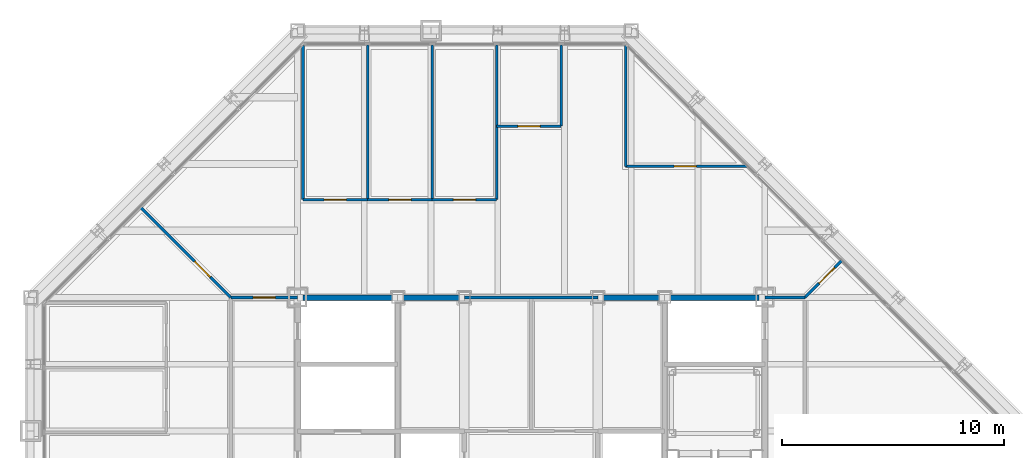
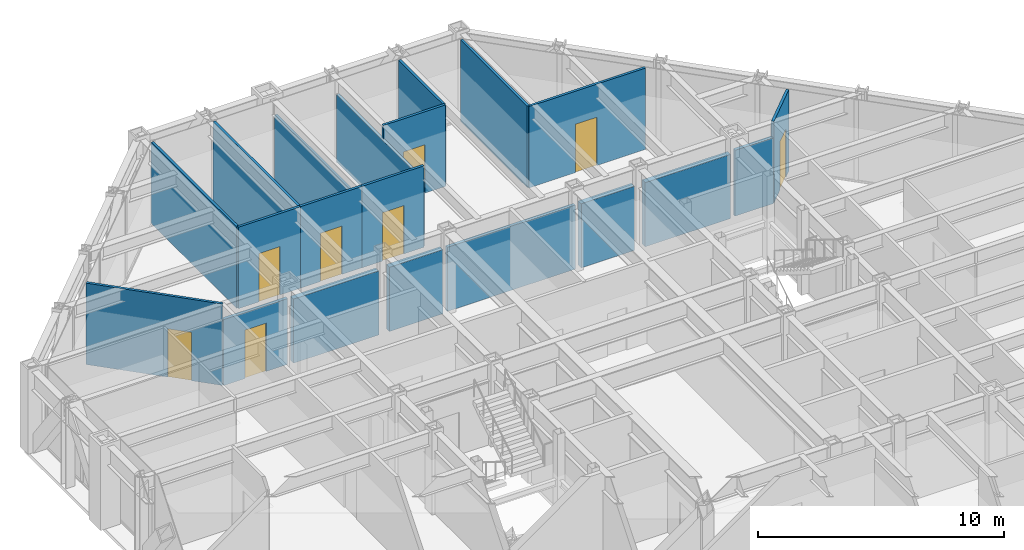
# One storey, part 13 of 16: 20 walls, 8 doors, 8 openings.
"""IFC4 building model written with IfcOpenShell, lengths in metres."""

from ifc_helpers import new_model, si_unit, direction, frame, frame_2d, origin, place, context, subcontext, project, spatial, rectangle, extrude, material, layer, layer_set, type_object, element, fill, save


model = new_model("IFC4")

# Units and contexts
model_context = context("Model", 3, precision=1e-05, world=origin(), true_north=direction((0.0, 1.0)))
body_context = subcontext(model_context, "Body", "Model", "MODEL_VIEW")
ifc_project = project(units=[si_unit("LENGTHUNIT", "METRE"), si_unit("AREAUNIT", "SQUARE_METRE"), si_unit("VOLUMEUNIT", "CUBIC_METRE"), si_unit("PLANEANGLEUNIT", "RADIAN"), si_unit("MASSUNIT", "GRAM", prefix="KILO")], contexts=[model_context])

# Site, building, storey
site_placement = place(None, origin())
site = spatial("IfcSite", under=ifc_project, at=site_placement, CompositionType="ELEMENT")
building_placement = place(site_placement, origin())
building = spatial("IfcBuilding", under=site, at=building_placement, Name="Chuquiago Exchange Tower", CompositionType="ELEMENT")
storey_placement = place(building_placement, frame((0.0, 0.0, 239.10009765625)))
storey = spatial("IfcBuildingStorey", under=building, at=storey_placement, Name="L53", CompositionType="ELEMENT", Elevation=239.10009765625)

# Walls
ifc_material_1 = material(Name="Concrete masonry, fully grouted", Category="masonry")
ifc_layer_1 = layer(ifc_material_1, 0.25)
ifc_layer_set_1 = layer_set([ifc_layer_1], Name="W1 core wall 250")
wall_type_1 = type_object("IfcWallType", Name="W1 core wall 250", PredefinedType="SOLIDWALL", material=ifc_layer_set_1)
wall_1_placement = place(storey_placement, frame((12.25, 33.0, 0.0), z_axis=(0.0, 0.0, 1.0), x_axis=(1.0, 0.0, 0.0)))
element("IfcWall", 1, at=wall_1_placement, inside=storey, type_object=wall_type_1, Name="CW-L53-11-0", PredefinedType="SOLIDWALL", context=body_context, shape_type="SweptSolid", body=[
    extrude(rectangle(XDim=4.0, YDim=0.25, at=frame_2d((2.0, 0.0))), origin(), (0.0, 0.0, 1.0), 3.181396484375),
])
for number, where, z_axis, x_axis, name in (
    (2, (16.75, 33.0, 0.0), (0.0, 0.0, 1.0), (1.0, 0.0, 0.0), "CW-L53-11-1"),
    (3, (25.75, 33.0, 0.0), (0.0, 0.0, 1.0), (1.0, 0.0, 0.0), "CW-L53-12-0"),
):
    element("IfcWall", number, at=place(storey_placement, frame(where, z_axis=z_axis, x_axis=x_axis)), inside=storey, type_object=wall_type_1, Name=name, PredefinedType="SOLIDWALL", context=body_context, shape_type="SweptSolid", body=[
        extrude(rectangle(XDim=2.5, YDim=0.25, at=frame_2d((1.25, 0.0))), origin(), (0.0, 0.0, 1.0), 3.181396484375),
    ])
wall_2_placement = place(storey_placement, frame((28.75, 33.0, 0.0), z_axis=(0.0, 0.0, 1.0), x_axis=(1.0, 0.0, 0.0)))
element("IfcWall", 4, at=wall_2_placement, inside=storey, type_object=wall_type_1, Name="CW-L53-12-1", PredefinedType="SOLIDWALL", context=body_context, shape_type="SweptSolid", body=[
    extrude(rectangle(XDim=4.0, YDim=0.25, at=frame_2d((2.0, 0.0))), origin(), (0.0, 0.0, 1.0), 3.181396484375),
])

# Wall, opening, door
ifc_material_2 = material(Name="Gypsum board on steel studs, acoustic insulation", Category="steel")
ifc_layer_2 = layer(ifc_material_2, 0.14990234375)
ifc_layer_set_2 = layer_set([ifc_layer_2], Name="W11 corridor wall 150")
wall_type_2 = type_object("IfcWallType", Name="W11 corridor wall 150", PredefinedType="PARTITIONING", material=ifc_layer_set_2)
wall_3_placement = place(storey_placement, frame((9.0, 33.0, 0.0), z_axis=(0.0, 0.0, 1.0), x_axis=(1.0, 0.0, 0.0)))
wall_3 = element("IfcWall", 5, at=wall_3_placement, inside=storey, type_object=wall_type_2, Name="PW-L53-GWN0", PredefinedType="PARTITIONING", context=body_context, shape_type="SweptSolid", body=[
    extrude(rectangle(XDim=3.0, YDim=0.14990234375, at=frame_2d((1.5, 0.0))), origin(), (0.0, 0.0, 1.0), 3.270263671875),
])
opening_1_placement = place(wall_3_placement, frame((1.0, 0.0, 0.0)))
opening_1 = element("IfcOpeningElement", 6, at=opening_1_placement, cuts=wall_3, Name="Opening L53-034", PredefinedType="OPENING", context=body_context, shape_type="SweptSolid", body=[
    extrude(rectangle(XDim=1.0, YDim=2.39990234375, at=frame_2d((0.5, 1.199951171875))), frame((0.0, 0.0849609375, 0.0), z_axis=(0.0, -1.0, 0.0), x_axis=(1.0, 0.0, 0.0)), (0.0, 0.0, 1.0), 0.169921875),
])
ifc_material_3 = material(Name="Timber door, laminate faced", Category="wood")
door_type_1 = type_object("IfcDoorType", Name="D9 room door 1000x2400", OperationType="SINGLE_SWING_LEFT", PredefinedType="DOOR", material=ifc_material_3)
door_1_placement = place(opening_1_placement, origin())
door_1 = element("IfcDoor", 7, at=door_1_placement, inside=storey, type_object=door_type_1, Name="Team area door", OperationType="SINGLE_SWING_RIGHT", OverallHeight=2.39990234375, OverallWidth=1.0, PredefinedType="DOOR", context=body_context, shape_type="SweptSolid", body=[
    extrude(rectangle(XDim=1.0, YDim=2.39990234375, at=frame_2d((0.5, 1.199951171875))), frame((0.0, 0.02490234375, 0.0), z_axis=(0.0, -1.0, 0.0), x_axis=(1.0, 0.0, 0.0)), (0.0, 0.0, 1.0), 0.050048828125),
])
fill(opening_1, door_1)

# Walls
wall_4_placement = place(storey_placement, frame((33.0, 33.0, 0.0), z_axis=(0.0, 0.0, 1.0), x_axis=(1.0, 0.0, 0.0)))
element("IfcWall", 8, at=wall_4_placement, inside=storey, type_object=wall_type_2, Name="PW-L53-GEN0", PredefinedType="PARTITIONING", context=body_context, shape_type="SweptSolid", body=[
    extrude(rectangle(XDim=1.800048828125, YDim=0.14990234375, at=frame_2d((0.89990234375, 0.0))), origin(), (0.0, 0.0, 1.0), 3.270263671875),
])
ifc_material_4 = material(Name="Gypsum board on steel studs", Category="steel")
ifc_layer_3 = layer(ifc_material_4, 0.14990234375)
ifc_layer_set_3 = layer_set([ifc_layer_3], Name="W3 core partition 150")
wall_type_3 = type_object("IfcWallType", Name="W3 core partition 150", PredefinedType="PARTITIONING", material=ifc_layer_set_3)
wall_5_placement = place(storey_placement, frame((19.5, 33.0, 0.0), z_axis=(0.0, 0.0, 1.0), x_axis=(1.0, 0.0, 0.0)))
element("IfcWall", 9, at=wall_5_placement, inside=storey, type_object=wall_type_3, Name="CW-L53-TB", PredefinedType="PARTITIONING", context=body_context, shape_type="SweptSolid", body=[
    extrude(rectangle(XDim=6.0, YDim=0.14990234375, at=frame_2d((3.0, 0.0))), origin(), (0.0, 0.0, 1.0), 3.181396484375),
])
ifc_material_5 = material(Name="Gypsum board on steel studs", Category="steel")
ifc_layer_4 = layer(ifc_material_5, 0.1201171875)
ifc_layer_set_4 = layer_set([ifc_layer_4], Name="W4 partition 120")
wall_type_4 = type_object("IfcWallType", Name="W4 partition 120", PredefinedType="PARTITIONING", material=ifc_layer_set_4)
wall_6_placement = place(storey_placement, frame((12.24853515625, 44.333984375, 0.0), z_axis=(0.0, 0.0, 1.0), x_axis=(0.0, -1.0, 0.0)))
element("IfcWall", 10, at=wall_6_placement, inside=storey, type_object=wall_type_4, Name="PW-L53-N01225", PredefinedType="PARTITIONING", context=body_context, shape_type="SweptSolid", body=[
    extrude(rectangle(XDim=6.93408203125, YDim=0.1201171875, at=frame_2d((3.467041015625, 0.0))), origin(), (0.0, 0.0, 1.0), 4.039794921875),
])
wall_7_placement = place(storey_placement, frame((15.149169921875, 44.347412109375, 0.0), z_axis=(0.0, 0.0, 1.0), x_axis=(0.0, -1.0, 0.0)))
element("IfcWall", 11, at=wall_7_placement, inside=storey, type_object=wall_type_4, Name="PW-L53-N01515", PredefinedType="PARTITIONING", context=body_context, shape_type="SweptSolid", body=[
    extrude(rectangle(XDim=6.947509765625, YDim=0.1201171875, at=frame_2d((3.4736328125, 0.0))), origin(), (0.0, 0.0, 1.0), 4.039794921875),
])
for number, where, z_axis, x_axis, name in (
    (12, (18.0498046875, 44.347412109375, 0.0), (0.0, 0.0, 1.0), (0.0, -1.0, 0.0), "PW-L53-N01805"),
    (13, (20.9501953125, 44.347412109375, 0.0), (0.0, 0.0, 1.0), (0.0, -1.0, 0.0), "PW-L53-N02095"),
):
    element("IfcWall", number, at=place(storey_placement, frame(where, z_axis=z_axis, x_axis=x_axis)), inside=storey, type_object=wall_type_4, Name=name, PredefinedType="PARTITIONING", context=body_context, shape_type="SweptSolid", body=[
        extrude(rectangle(XDim=6.947509765625, YDim=0.1201171875, at=frame_2d((3.4736328125, 0.0))), origin(), (0.0, 0.0, 1.0), 3.356689453125),
    ])
wall_8_placement = place(storey_placement, frame((23.850830078125, 44.347412109375, 0.0), z_axis=(0.0, 0.0, 1.0), x_axis=(0.0, -1.0, 0.0)))
element("IfcWall", 14, at=wall_8_placement, inside=storey, type_object=wall_type_4, Name="PW-L53-N02385", PredefinedType="PARTITIONING", context=body_context, shape_type="SweptSolid", body=[
    extrude(rectangle(XDim=3.6474609375, YDim=0.1201171875, at=frame_2d((1.82373046875, 0.0))), origin(), (0.0, 0.0, 1.0), 4.039794921875),
])
wall_9_placement = place(storey_placement, frame((26.75146484375, 44.333984375, 0.0), z_axis=(0.0, 0.0, 1.0), x_axis=(0.0, -1.0, 0.0)))
element("IfcWall", 15, at=wall_9_placement, inside=storey, type_object=wall_type_4, Name="PW-L53-N02675", PredefinedType="PARTITIONING", context=body_context, shape_type="SweptSolid", body=[
    extrude(rectangle(XDim=5.43408203125, YDim=0.1201171875, at=frame_2d((2.717041015625, 0.0))), origin(), (0.0, 0.0, 1.0), 4.039794921875),
])

# Wall, opening, door
wall_10_placement = place(storey_placement, frame((12.24853515625, 37.39990234375, 0.0), z_axis=(0.0, 0.0, 1.0), x_axis=(1.0, 0.0, 0.0)))
wall_10 = element("IfcWall", 16, at=wall_10_placement, inside=storey, type_object=wall_type_4, Name="PW-L53-NF01225", PredefinedType="PARTITIONING", context=body_context, shape_type="SweptSolid", body=[
    extrude(rectangle(XDim=2.900634765625, YDim=0.1201171875, at=frame_2d((1.4501953125, 0.0))), origin(), (0.0, 0.0, 1.0), 4.039794921875),
])
opening_2_placement = place(wall_10_placement, frame((0.9501953125, 0.0, 0.0)))
opening_2 = element("IfcOpeningElement", 17, at=opening_2_placement, cuts=wall_10, Name="Opening L53-024", PredefinedType="OPENING", context=body_context, shape_type="SweptSolid", body=[
    extrude(rectangle(XDim=1.0, YDim=2.39990234375, at=frame_2d((0.5, 1.199951171875))), frame((0.0, 0.070068359375, 0.0), z_axis=(0.0, -1.0, 0.0), x_axis=(1.0, 0.0, 0.0)), (0.0, 0.0, 1.0), 0.14013671875),
])
door_2_placement = place(opening_2_placement, origin())
door_2 = element("IfcDoor", 18, at=door_2_placement, inside=storey, type_object=door_type_1, Name="Research office door", OperationType="SINGLE_SWING_LEFT", OverallHeight=2.39990234375, OverallWidth=1.0, PredefinedType="DOOR", context=body_context, shape_type="SweptSolid", body=[
    extrude(rectangle(XDim=1.0, YDim=2.39990234375, at=frame_2d((0.5, 1.199951171875))), frame((0.0, 0.02490234375, 0.0), z_axis=(0.0, -1.0, 0.0), x_axis=(1.0, 0.0, 0.0)), (0.0, 0.0, 1.0), 0.050048828125),
])
fill(opening_2, door_2)

wall_11_placement = place(storey_placement, frame((15.149169921875, 37.39990234375, 0.0), z_axis=(0.0, 0.0, 1.0), x_axis=(1.0, 0.0, 0.0)))
wall_11 = element("IfcWall", 19, at=wall_11_placement, inside=storey, type_object=wall_type_4, Name="PW-L53-NF01515", PredefinedType="PARTITIONING", context=body_context, shape_type="SweptSolid", body=[
    extrude(rectangle(XDim=2.900634765625, YDim=0.1201171875, at=frame_2d((1.4501953125, 0.0))), origin(), (0.0, 0.0, 1.0), 4.039794921875),
])
opening_3_placement = place(wall_11_placement, frame((0.9501953125, 0.0, 0.0)))
opening_3 = element("IfcOpeningElement", 20, at=opening_3_placement, cuts=wall_11, Name="Opening L53-025", PredefinedType="OPENING", context=body_context, shape_type="SweptSolid", body=[
    extrude(rectangle(XDim=1.0, YDim=2.39990234375, at=frame_2d((0.5, 1.199951171875))), frame((0.0, 0.070068359375, 0.0), z_axis=(0.0, -1.0, 0.0), x_axis=(1.0, 0.0, 0.0)), (0.0, 0.0, 1.0), 0.14013671875),
])
door_3_placement = place(opening_3_placement, origin())
door_3 = element("IfcDoor", 21, at=door_3_placement, inside=storey, type_object=door_type_1, Name="Research office door", OperationType="SINGLE_SWING_LEFT", OverallHeight=2.39990234375, OverallWidth=1.0, PredefinedType="DOOR", context=body_context, shape_type="SweptSolid", body=[
    extrude(rectangle(XDim=1.0, YDim=2.39990234375, at=frame_2d((0.5, 1.199951171875))), frame((0.0, 0.02490234375, 0.0), z_axis=(0.0, -1.0, 0.0), x_axis=(1.0, 0.0, 0.0)), (0.0, 0.0, 1.0), 0.050048828125),
])
fill(opening_3, door_3)

wall_12_placement = place(storey_placement, frame((18.0498046875, 37.39990234375, 0.0), z_axis=(0.0, 0.0, 1.0), x_axis=(1.0, 0.0, 0.0)))
wall_12 = element("IfcWall", 22, at=wall_12_placement, inside=storey, type_object=wall_type_4, Name="PW-L53-NF01805", PredefinedType="PARTITIONING", context=body_context, shape_type="SweptSolid", body=[
    extrude(rectangle(XDim=2.900390625, YDim=0.1201171875, at=frame_2d((1.4501953125, 0.0))), origin(), (0.0, 0.0, 1.0), 4.039794921875),
])
opening_4_placement = place(wall_12_placement, frame((0.9501953125, 0.0, 0.0)))
opening_4 = element("IfcOpeningElement", 23, at=opening_4_placement, cuts=wall_12, Name="Opening L53-026", PredefinedType="OPENING", context=body_context, shape_type="SweptSolid", body=[
    extrude(rectangle(XDim=1.0, YDim=2.39990234375, at=frame_2d((0.5, 1.199951171875))), frame((0.0, 0.070068359375, 0.0), z_axis=(0.0, -1.0, 0.0), x_axis=(1.0, 0.0, 0.0)), (0.0, 0.0, 1.0), 0.14013671875),
])
door_4_placement = place(opening_4_placement, origin())
door_4 = element("IfcDoor", 24, at=door_4_placement, inside=storey, type_object=door_type_1, Name="Research office door", OperationType="SINGLE_SWING_RIGHT", OverallHeight=2.39990234375, OverallWidth=1.0, PredefinedType="DOOR", context=body_context, shape_type="SweptSolid", body=[
    extrude(rectangle(XDim=1.0, YDim=2.39990234375, at=frame_2d((0.5, 1.199951171875))), frame((0.0, 0.02490234375, 0.0), z_axis=(0.0, -1.0, 0.0), x_axis=(1.0, 0.0, 0.0)), (0.0, 0.0, 1.0), 0.050048828125),
])
fill(opening_4, door_4)

wall_13_placement = place(storey_placement, frame((20.9501953125, 40.699951171875, 0.0), z_axis=(0.0, 0.0, 1.0), x_axis=(1.0, 0.0, 0.0)))
wall_13 = element("IfcWall", 25, at=wall_13_placement, inside=storey, type_object=wall_type_4, Name="PW-L53-NF02095", PredefinedType="PARTITIONING", context=body_context, shape_type="SweptSolid", body=[
    extrude(rectangle(XDim=2.900634765625, YDim=0.1201171875, at=frame_2d((1.4501953125, 0.0))), origin(), (0.0, 0.0, 1.0), 4.039794921875),
])
opening_5_placement = place(wall_13_placement, frame((0.9501953125, 0.0, 0.0)))
opening_5 = element("IfcOpeningElement", 26, at=opening_5_placement, cuts=wall_13, Name="Opening L53-027", PredefinedType="OPENING", context=body_context, shape_type="SweptSolid", body=[
    extrude(rectangle(XDim=1.0, YDim=2.39990234375, at=frame_2d((0.5, 1.199951171875))), frame((0.0, 0.070068359375, 0.0), z_axis=(0.0, -1.0, 0.0), x_axis=(1.0, 0.0, 0.0)), (0.0, 0.0, 1.0), 0.14013671875),
])
ifc_material_6 = material(Name="Timber frame door, full height glazed panel", Category="wood")
door_type_2 = type_object("IfcDoorType", Name="D14 glazed meeting room door 1000x2400", OperationType="SINGLE_SWING_LEFT", PredefinedType="DOOR", material=ifc_material_6)
door_5_placement = place(opening_5_placement, origin())
door_5 = element("IfcDoor", 27, at=door_5_placement, inside=storey, type_object=door_type_2, Name="Focus room door", OperationType="SINGLE_SWING_LEFT", OverallHeight=2.39990234375, OverallWidth=1.0, PredefinedType="DOOR", context=body_context, shape_type="SweptSolid", body=[
    extrude(rectangle(XDim=1.0, YDim=2.39990234375, at=frame_2d((0.5, 1.199951171875))), frame((0.0, 0.02490234375, 0.0), z_axis=(0.0, -1.0, 0.0), x_axis=(1.0, 0.0, 0.0)), (0.0, 0.0, 1.0), 0.050048828125),
])
fill(opening_5, door_5)

wall_14_placement = place(storey_placement, frame((26.75146484375, 38.89990234375, 0.0), z_axis=(0.0, 0.0, 1.0), x_axis=(1.0, 0.0, 0.0)))
wall_14 = element("IfcWall", 28, at=wall_14_placement, inside=storey, type_object=wall_type_4, Name="PW-L53-NF02675", PredefinedType="PARTITIONING", context=body_context, shape_type="SweptSolid", body=[
    extrude(rectangle(XDim=5.463134765625, YDim=0.1201171875, at=frame_2d((2.7314453125, 0.0))), origin(), (0.0, 0.0, 1.0), 4.039794921875),
])
opening_6_placement = place(wall_14_placement, frame((2.17919921875, 0.0, 0.0)))
opening_6 = element("IfcOpeningElement", 29, at=opening_6_placement, cuts=wall_14, Name="Opening L53-028", PredefinedType="OPENING", context=body_context, shape_type="SweptSolid", body=[
    extrude(rectangle(XDim=1.0, YDim=2.39990234375, at=frame_2d((0.5, 1.199951171875))), frame((0.0, 0.070068359375, 0.0), z_axis=(0.0, -1.0, 0.0), x_axis=(1.0, 0.0, 0.0)), (0.0, 0.0, 1.0), 0.14013671875),
])
door_6_placement = place(opening_6_placement, origin())
door_6 = element("IfcDoor", 30, at=door_6_placement, inside=storey, type_object=door_type_2, Name="Meeting room door", OperationType="SINGLE_SWING_RIGHT", OverallHeight=2.39990234375, OverallWidth=1.0, PredefinedType="DOOR", context=body_context, shape_type="SweptSolid", body=[
    extrude(rectangle(XDim=1.0, YDim=2.39990234375, at=frame_2d((0.5, 1.199951171875))), frame((0.0, 0.02490234375, 0.0), z_axis=(0.0, -1.0, 0.0), x_axis=(1.0, 0.0, 0.0)), (0.0, 0.0, 1.0), 0.050048828125),
])
fill(opening_6, door_6)

wall_15_placement = place(storey_placement, frame((34.800048828125, 33.0, 0.0), z_axis=(0.0, 0.0, 1.0), x_axis=(0.707106781187, 0.707106781187, 0.0)))
wall_15 = element("IfcWall", 31, at=wall_15_placement, inside=storey, type_object=wall_type_4, Name="PW-L53-QNE", PredefinedType="PARTITIONING", context=body_context, shape_type="SweptSolid", body=[
    extrude(rectangle(XDim=2.337890625, YDim=0.1201171875, at=frame_2d((1.1689453125, 0.0))), origin(), (0.0, 0.0, 1.0), 4.039794921875),
])
opening_7_placement = place(wall_15_placement, frame((0.89990234375, 0.0, 0.0)))
opening_7 = element("IfcOpeningElement", 32, at=opening_7_placement, cuts=wall_15, Name="Opening L53-037", PredefinedType="OPENING", context=body_context, shape_type="SweptSolid", body=[
    extrude(rectangle(XDim=1.0, YDim=2.39990234375, at=frame_2d((0.5, 1.199951171875))), frame((0.0, 0.070068359375, 0.0), z_axis=(0.0, -1.0, 0.0), x_axis=(1.0, 0.0, 0.0)), (0.0, 0.0, 1.0), 0.14013671875),
])
door_7_placement = place(opening_7_placement, frame((1.0, 0.0, 0.0), z_axis=(0.0, 0.0, 1.0), x_axis=(-1.0, 0.0, 0.0)))
door_7 = element("IfcDoor", 33, at=door_7_placement, inside=storey, type_object=door_type_1, Name="Team area door", OperationType="SINGLE_SWING_LEFT", OverallHeight=2.39990234375, OverallWidth=1.0, PredefinedType="DOOR", context=body_context, shape_type="SweptSolid", body=[
    extrude(rectangle(XDim=1.0, YDim=2.39990234375, at=frame_2d((0.5, 1.199951171875))), frame((0.0, 0.02490234375, 0.0), z_axis=(0.0, -1.0, 0.0), x_axis=(1.0, 0.0, 0.0)), (0.0, 0.0, 1.0), 0.050048828125),
])
fill(opening_7, door_7)

wall_16_placement = place(storey_placement, frame((9.0, 33.0, 0.0), z_axis=(0.0, 0.0, 1.0), x_axis=(-0.707106781187, 0.707106781187, 0.0)))
wall_16 = element("IfcWall", 34, at=wall_16_placement, inside=storey, type_object=wall_type_4, Name="PW-L53-QNW", PredefinedType="PARTITIONING", context=body_context, shape_type="SweptSolid", body=[
    extrude(rectangle(XDim=5.731689453125, YDim=0.1201171875, at=frame_2d((2.86572265625, 0.0))), origin(), (0.0, 0.0, 1.0), 4.039794921875),
])
opening_8_placement = place(wall_16_placement, frame((1.300048828125, 0.0, 0.0)))
opening_8 = element("IfcOpeningElement", 35, at=opening_8_placement, cuts=wall_16, Name="Opening L53-038", PredefinedType="OPENING", context=body_context, shape_type="SweptSolid", body=[
    extrude(rectangle(XDim=1.0, YDim=2.39990234375, at=frame_2d((0.5, 1.199951171875))), frame((0.0, 0.070068359375, 0.0), z_axis=(0.0, -1.0, 0.0), x_axis=(1.0, 0.0, 0.0)), (0.0, 0.0, 1.0), 0.14013671875),
])
door_8_placement = place(opening_8_placement, frame((1.0, 0.0, 0.0), z_axis=(0.0, 0.0, 1.0), x_axis=(-1.0, 0.0, 0.0)))
door_8 = element("IfcDoor", 36, at=door_8_placement, inside=storey, type_object=door_type_1, Name="Team area door", OperationType="SINGLE_SWING_RIGHT", OverallHeight=2.39990234375, OverallWidth=1.0, PredefinedType="DOOR", context=body_context, shape_type="SweptSolid", body=[
    extrude(rectangle(XDim=1.0, YDim=2.39990234375, at=frame_2d((0.5, 1.199951171875))), frame((0.0, 0.02490234375, 0.0), z_axis=(0.0, -1.0, 0.0), x_axis=(1.0, 0.0, 0.0)), (0.0, 0.0, 1.0), 0.050048828125),
])
fill(opening_8, door_8)

save(model, "model.ifc")
